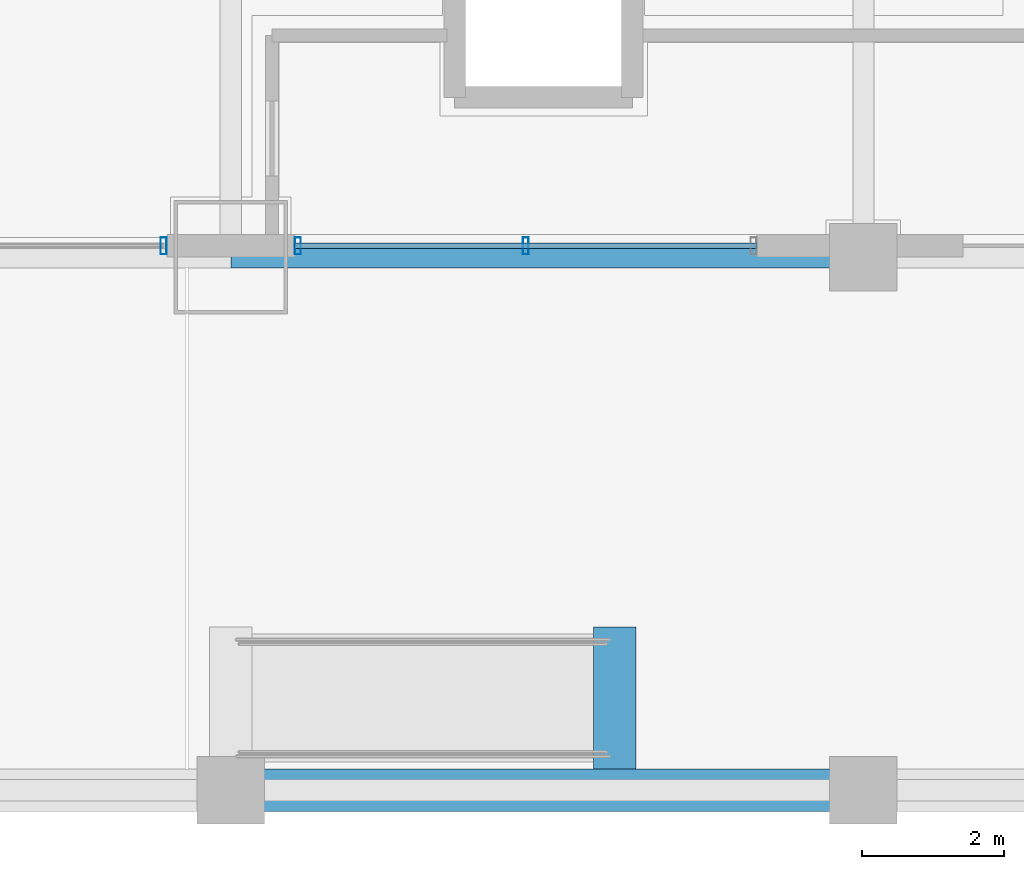
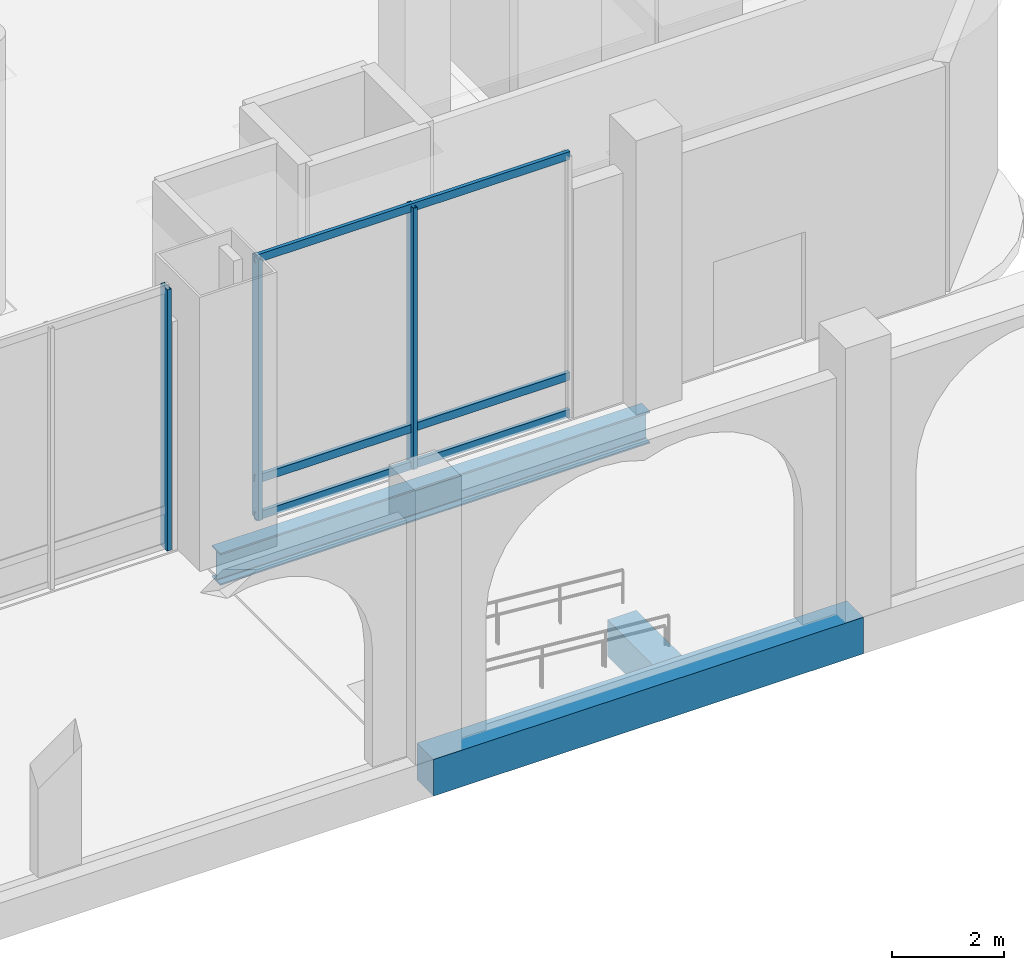
# One storey, part 6 of 32: 6 members, 3 beams, 2 elements without a shape of their own.
"""IFC4 building model written with IfcOpenShell, lengths in metres."""

from ifc_helpers import new_model, si_unit, direction, frame, origin, origin_2d, place, context, subcontext, project, spatial, rectangle, hollow_rectangle, i_section, extrude, material, material_profile, profile_set, type_object, element, aggregate, save


model = new_model("IFC4")

# Units and contexts
model_context = context("Model", 3, precision=1e-05, world=origin(), true_north=direction((0.0, 1.0)))
body_context = subcontext(model_context, "Body", "Model", "MODEL_VIEW")
ifc_project = project(units=[si_unit("LENGTHUNIT", "METRE"), si_unit("AREAUNIT", "SQUARE_METRE"), si_unit("VOLUMEUNIT", "CUBIC_METRE"), si_unit("PLANEANGLEUNIT", "RADIAN"), si_unit("MASSUNIT", "GRAM", prefix="KILO")], contexts=[model_context])

# Site, building, storey
site_placement = place(None, origin())
site = spatial("IfcSite", under=ifc_project, at=site_placement, CompositionType="ELEMENT")
building_placement = place(site_placement, origin())
building = spatial("IfcBuilding", under=site, at=building_placement, Name="Punatoya Terracotta Tower", CompositionType="ELEMENT")
storey_placement = place(building_placement, origin())
storey = spatial("IfcBuildingStorey", under=building, at=storey_placement, Name="L00", CompositionType="ELEMENT", Elevation=0.0)

# Beams
ifc_material_1 = material(Name="Steel S355", Category="steel")
ifc_material_profile_1 = material_profile(ifc_material_1, i_section(OverallWidth=0.300048828125, OverallDepth=0.699951171875, WebThickness=0.01708984375, FlangeThickness=0.031982421875, FilletRadius=0.01806640625, at=origin_2d()))
ifc_profile_set_1 = profile_set([ifc_material_profile_1], Name="Steel S355")
beam_type_1 = type_object("IfcBeamType", Name="BM-PRI-700", PredefinedType="BEAM", material=ifc_profile_set_1)
beam_1_placement = place(storey_placement, frame((19.10009765625, -17.5, -0.6298828125), z_axis=(1.0, 0.0, 0.0), x_axis=(0.0, 1.0, 0.0)))
element("IfcBeam", 1, at=beam_1_placement, inside=storey, type_object=beam_type_1, Name="BM-L00-BE1", PredefinedType="BEAM", context=body_context, shape_type="SweptSolid", body=[
    extrude(i_section(OverallWidth=0.300048828125, OverallDepth=0.699951171875, WebThickness=0.01708984375, FlangeThickness=0.031982421875, FilletRadius=0.01806640625, at=origin_2d()), origin(), (0.0, 0.0, 1.0), 8.89990234375),
])
ifc_material_2 = material(Name="Concrete C45/55", Category="concrete")
ifc_material_profile_2 = material_profile(ifc_material_2, rectangle(XDim=0.60009765625, YDim=0.800048828125, at=origin_2d()))
ifc_profile_set_2 = profile_set([ifc_material_profile_2], Name="Concrete C45/55")
beam_type_2 = type_object("IfcBeamType", Name="BM-RC-GRD", PredefinedType="BEAM", material=ifc_profile_set_2)
beam_2_placement = place(storey_placement, frame((19.10009765625, -25.0, -0.550048828125), z_axis=(1.0, 0.0, 0.0), x_axis=(0.0, 1.0, 0.0)))
element("IfcBeam", 2, at=beam_2_placement, inside=storey, type_object=beam_type_2, Name="GB-PROM-6", PredefinedType="BEAM", context=body_context, shape_type="SweptSolid", body=[
    extrude(rectangle(XDim=0.60009765625, YDim=0.800048828125, at=origin_2d()), origin(), (0.0, 0.0, 1.0), 8.89990234375),
])
beam_3_placement = place(storey_placement, frame((24.5, -24.699951171875, -0.85009765625), z_axis=(0.0, 1.0, 0.0), x_axis=(-1.0, 0.0, 0.0)))
element("IfcBeam", 3, at=beam_3_placement, inside=storey, type_object=beam_type_2, Name="GB-PR2-LO", PredefinedType="BEAM", context=body_context, shape_type="SweptSolid", body=[
    extrude(rectangle(XDim=0.60009765625, YDim=0.800048828125, at=origin_2d()), origin(), (0.0, 0.0, 1.0), 2.0),
])

# Curtain wall, member
ifc_material_3 = material(Name="Aluminium 6063-T6 + Double Low-E Glass", Category="aluminium")
curtain_wall_type = type_object("IfcCurtainWallType", Name="CW-POD", PredefinedType="NOTDEFINED", material=ifc_material_3)
curtain_wall_1_placement = place(storey_placement, origin())
curtain_wall_1 = element("IfcCurtainWall", 4, at=curtain_wall_1_placement, inside=storey, type_object=curtain_wall_type, Name="L00 Curtain Wall CWP-L00-S2A", PredefinedType="NOTDEFINED")
ifc_material_4 = material(Name="Aluminium 6063-T6", Category="aluminium")
ifc_material_profile_3 = material_profile(ifc_material_4, hollow_rectangle(XDim=0.0849609375, YDim=0.239990234375, WallThickness=0.0048828125, at=origin_2d()))
ifc_profile_set_3 = profile_set([ifc_material_profile_3], Name="Aluminium 6063-T6")
member_type_1 = type_object("IfcMemberType", Name="CW-MUL-POD", PredefinedType="MULLION", material=ifc_profile_set_3)
member_1_placement = place(storey_placement, frame((18.155029296875, -17.340087890625, 0.0), z_axis=(0.0, 0.0, 1.0), x_axis=(1.0, 0.0, 0.0)))
member_1 = element("IfcMember", 5, at=member_1_placement, type_object=member_type_1, Name="CWP-L00-S2A Mullion 03", PredefinedType="MULLION", context=body_context, shape_type="SweptSolid", body=[
    extrude(hollow_rectangle(XDim=0.0849609375, YDim=0.239990234375, WallThickness=0.0048828125, at=origin_2d()), origin(), (0.0, 0.0, 1.0), 5.719970703125),
])
aggregate(curtain_wall_1, [member_1])

# Curtain wall, members
curtain_wall_2_placement = place(storey_placement, origin())
curtain_wall_2 = element("IfcCurtainWall", 6, at=curtain_wall_2_placement, inside=storey, type_object=curtain_wall_type, Name="L00 Curtain Wall CWP-L00-S2B", PredefinedType="NOTDEFINED")
member_2_placement = place(storey_placement, frame((20.044921875, -17.340087890625, 0.0), z_axis=(0.0, 0.0, 1.0), x_axis=(1.0, 0.0, 0.0)))
member_2 = element("IfcMember", 7, at=member_2_placement, type_object=member_type_1, Name="CWP-L00-S2B Mullion 00", PredefinedType="MULLION", context=body_context, shape_type="SweptSolid", body=[
    extrude(hollow_rectangle(XDim=0.0849609375, YDim=0.239990234375, WallThickness=0.0048828125, at=origin_2d()), origin(), (0.0, 0.0, 1.0), 5.719970703125),
])
member_3_placement = place(storey_placement, frame((23.25, -17.340087890625, 0.0), z_axis=(0.0, 0.0, 1.0), x_axis=(1.0, 0.0, 0.0)))
member_3 = element("IfcMember", 8, at=member_3_placement, type_object=member_type_1, Name="CWP-L00-S2B Mullion 01", PredefinedType="MULLION", context=body_context, shape_type="SweptSolid", body=[
    extrude(hollow_rectangle(XDim=0.0849609375, YDim=0.239990234375, WallThickness=0.0048828125, at=origin_2d()), origin(), (0.0, 0.0, 1.0), 5.719970703125),
])
ifc_material_profile_4 = material_profile(ifc_material_4, hollow_rectangle(XDim=0.074951171875, YDim=0.175048828125, WallThickness=0.00439453125, at=origin_2d()))
ifc_profile_set_4 = profile_set([ifc_material_profile_4], Name="Aluminium 6063-T6")
member_type_2 = type_object("IfcMemberType", Name="CW-TRN-POD", PredefinedType="USERDEFINED", material=ifc_profile_set_4)
member_4_placement = place(storey_placement, frame((20.0, -17.340087890625, 0.0400390625), z_axis=(1.0, 0.0, 0.0), x_axis=(0.0, 1.0, 0.0)))
member_4 = element("IfcMember", 9, at=member_4_placement, type_object=member_type_2, Name="CWP-L00-S2B Transom 1", ObjectType="TRANSOM", PredefinedType="USERDEFINED", context=body_context, shape_type="SweptSolid", body=[
    extrude(hollow_rectangle(XDim=0.074951171875, YDim=0.175048828125, WallThickness=0.00439453125, at=origin_2d()), origin(), (0.0, 0.0, 1.0), 6.5),
])
member_5_placement = place(storey_placement, frame((20.0, -17.340087890625, 0.85009765625), z_axis=(1.0, 0.0, 0.0), x_axis=(0.0, 1.0, 0.0)))
member_5 = element("IfcMember", 10, at=member_5_placement, type_object=member_type_2, Name="CWP-L00-S2B Transom 2", ObjectType="TRANSOM", PredefinedType="USERDEFINED", context=body_context, shape_type="SweptSolid", body=[
    extrude(hollow_rectangle(XDim=0.074951171875, YDim=0.175048828125, WallThickness=0.00439453125, at=origin_2d()), origin(), (0.0, 0.0, 1.0), 6.5),
])
member_6_placement = place(storey_placement, frame((20.0, -17.340087890625, 5.679931640625), z_axis=(1.0, 0.0, 0.0), x_axis=(0.0, 1.0, 0.0)))
member_6 = element("IfcMember", 11, at=member_6_placement, type_object=member_type_2, Name="CWP-L00-S2B Transom 3", ObjectType="TRANSOM", PredefinedType="USERDEFINED", context=body_context, shape_type="SweptSolid", body=[
    extrude(hollow_rectangle(XDim=0.074951171875, YDim=0.175048828125, WallThickness=0.00439453125, at=origin_2d()), origin(), (0.0, 0.0, 1.0), 6.5),
])
aggregate(curtain_wall_2, [member_2, member_3, member_4, member_5, member_6])

save(model, "model.ifc")
